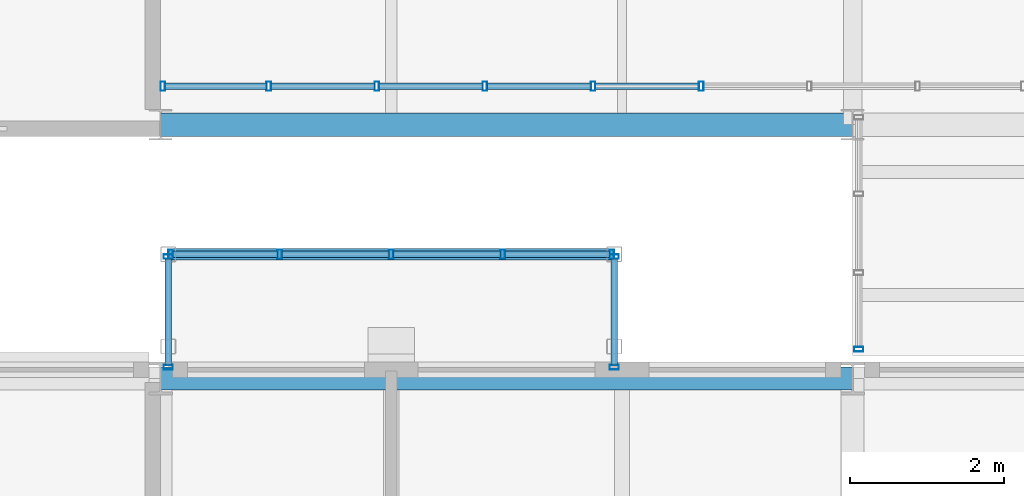
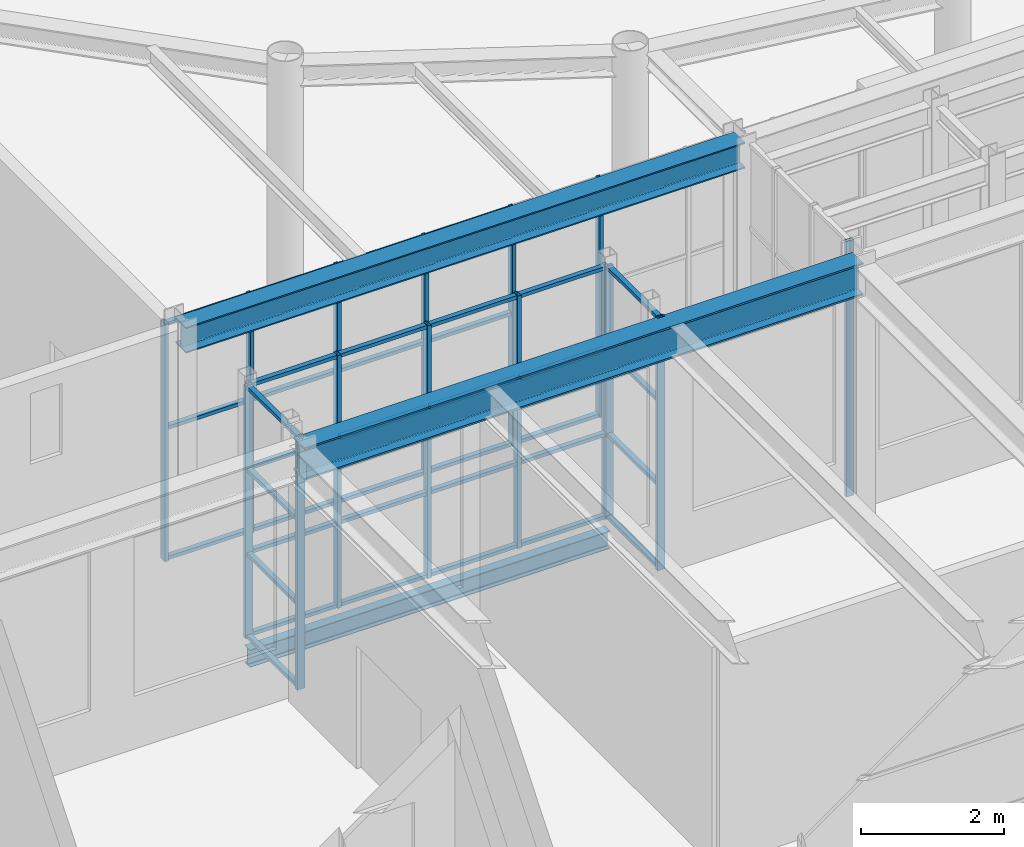
# One storey, part 44 of 149: 53 members, 3 beams, 5 elements without a shape of their own.
"""IFC4 building model written with IfcOpenShell, lengths in metres."""

from ifc_helpers import new_model, si_unit, direction, frame, origin, origin_2d, place, context, subcontext, project, spatial, hollow_rectangle, i_section, extrude, material, layer, layer_set, material_profile, profile_set, type_object, element, aggregate, save


model = new_model("IFC4")

# Units and contexts
model_context = context("Model", 3, precision=1e-05, world=origin(), true_north=direction((0.0, 1.0)))
body_context = subcontext(model_context, "Body", "Model", "MODEL_VIEW")
ifc_project = project(units=[si_unit("LENGTHUNIT", "METRE"), si_unit("AREAUNIT", "SQUARE_METRE"), si_unit("VOLUMEUNIT", "CUBIC_METRE"), si_unit("PLANEANGLEUNIT", "RADIAN"), si_unit("MASSUNIT", "GRAM", prefix="KILO")], contexts=[model_context])

# Site, building, storey
site_placement = place(None, origin())
site = spatial("IfcSite", under=ifc_project, at=site_placement, CompositionType="ELEMENT")
building_placement = place(site_placement, origin())
building = spatial("IfcBuilding", under=site, at=building_placement, Name="Kallimachos Central Library", CompositionType="ELEMENT")
storey_placement = place(building_placement, frame((0.0, 0.0, 9.89990234375)))
storey = spatial("IfcBuildingStorey", under=building, at=storey_placement, Name="L02", CompositionType="ELEMENT", Elevation=9.89990234375)

# Curtain wall, member
ifc_material_1 = material(Name="Aluminium and laminated glass", Category="aluminium")
curtain_wall_type_1 = type_object("IfcCurtainWallType", Name="Link glazed wall", PredefinedType="NOTDEFINED", material=ifc_material_1)
curtain_wall_1_placement = place(storey_placement, origin())
curtain_wall_1 = element("IfcCurtainWall", 1, at=curtain_wall_1_placement, inside=storey, type_object=curtain_wall_type_1, Name="Reading Link glazed wall L02", PredefinedType="NOTDEFINED")
ifc_material_2 = material(Name="Anodised aluminium", Category="aluminium")
ifc_material_profile_1 = material_profile(ifc_material_2, hollow_rectangle(XDim=0.06005859375, YDim=0.1201171875, WallThickness=0.00390625, at=origin_2d()), Name="ALU MULLION 60x120")
ifc_profile_set_1 = profile_set([ifc_material_profile_1], Name="Anodised aluminium")
member_type_1 = type_object("IfcMemberType", Name="ALU MULLION 60x120 mullion", PredefinedType="MULLION", material=ifc_profile_set_1)
member_1_placement = place(storey_placement, frame((83.580078125, 84.22998046875, 0.0), z_axis=(0.0, 0.0, 1.0), x_axis=(0.0, 1.0, 0.0)))
member_1 = element("IfcMember", 2, at=member_1_placement, type_object=member_type_1, Name="CW66 mullion 1", PredefinedType="MULLION", context=body_context, shape_type="SweptSolid", body=[
    extrude(hollow_rectangle(XDim=0.06005859375, YDim=0.1201171875, WallThickness=0.00390625, at=origin_2d()), origin(), (0.0, 0.0, 1.0), 4.35009765625),
])
aggregate(curtain_wall_1, [member_1])

# Curtain wall, members
ifc_material_3 = material(Name="Anodised aluminium and laminated glass", Category="aluminium")
ifc_layer = layer(ifc_material_3, 0.159912109375)
ifc_layer_set = layer_set([ifc_layer], Name="Glass box curtain wall")
curtain_wall_type_2 = type_object("IfcCurtainWallType", Name="Glass box curtain wall", PredefinedType="NOTDEFINED", material=ifc_layer_set)
curtain_wall_2_placement = place(storey_placement, origin())
curtain_wall_2 = element("IfcCurtainWall", 3, at=curtain_wall_2_placement, inside=storey, type_object=curtain_wall_type_2, Name="Glass box curtain wall S L02", PredefinedType="NOTDEFINED")
ifc_material_4 = material(Name="Anodised aluminium", Category="aluminium")
ifc_material_profile_2 = material_profile(ifc_material_4, hollow_rectangle(XDim=0.06005859375, YDim=0.1201171875, WallThickness=0.00390625, at=origin_2d()), Name="ALU MULLION 60x120")
ifc_profile_set_2 = profile_set([ifc_material_profile_2], Name="Anodised aluminium")
member_type_2 = type_object("IfcMemberType", Name="Glass box mullion 60x120", PredefinedType="MULLION", material=ifc_profile_set_2)
member_2_placement = place(storey_placement, frame((74.530029296875, 87.64990234375, 0.0), z_axis=(0.0, 0.0, 1.0), x_axis=(1.0, 0.0, 0.0)))
member_2 = element("IfcMember", 4, at=member_2_placement, type_object=member_type_2, Name="CW12 mullion 1", PredefinedType="MULLION", context=body_context, shape_type="SweptSolid", body=[
    extrude(hollow_rectangle(XDim=0.06005859375, YDim=0.1201171875, WallThickness=0.00390625, at=origin_2d()), origin(), (0.0, 0.0, 1.0), 4.050048828125),
])
member_3_placement = place(storey_placement, frame((75.90625, 87.64990234375, 0.0), z_axis=(0.0, 0.0, 1.0), x_axis=(1.0, 0.0, 0.0)))
member_3 = element("IfcMember", 5, at=member_3_placement, type_object=member_type_2, Name="CW12 mullion 2", PredefinedType="MULLION", context=body_context, shape_type="SweptSolid", body=[
    extrude(hollow_rectangle(XDim=0.06005859375, YDim=0.1201171875, WallThickness=0.00390625, at=origin_2d()), origin(), (0.0, 0.0, 1.0), 4.050048828125),
])
member_4_placement = place(storey_placement, frame((77.3125, 87.64990234375, 0.0), z_axis=(0.0, 0.0, 1.0), x_axis=(1.0, 0.0, 0.0)))
member_4 = element("IfcMember", 6, at=member_4_placement, type_object=member_type_2, Name="CW12 mullion 3", PredefinedType="MULLION", context=body_context, shape_type="SweptSolid", body=[
    extrude(hollow_rectangle(XDim=0.06005859375, YDim=0.1201171875, WallThickness=0.00390625, at=origin_2d()), origin(), (0.0, 0.0, 1.0), 4.050048828125),
])
member_5_placement = place(storey_placement, frame((78.71875, 87.64990234375, 0.0), z_axis=(0.0, 0.0, 1.0), x_axis=(1.0, 0.0, 0.0)))
member_5 = element("IfcMember", 7, at=member_5_placement, type_object=member_type_2, Name="CW12 mullion 4", PredefinedType="MULLION", context=body_context, shape_type="SweptSolid", body=[
    extrude(hollow_rectangle(XDim=0.06005859375, YDim=0.1201171875, WallThickness=0.00390625, at=origin_2d()), origin(), (0.0, 0.0, 1.0), 4.050048828125),
])
member_6_placement = place(storey_placement, frame((80.125, 87.64990234375, 0.0), z_axis=(0.0, 0.0, 1.0), x_axis=(1.0, 0.0, 0.0)))
member_6 = element("IfcMember", 8, at=member_6_placement, type_object=member_type_2, Name="CW12 mullion 5", PredefinedType="MULLION", context=body_context, shape_type="SweptSolid", body=[
    extrude(hollow_rectangle(XDim=0.06005859375, YDim=0.1201171875, WallThickness=0.00390625, at=origin_2d()), origin(), (0.0, 0.0, 1.0), 4.050048828125),
])
member_7_placement = place(storey_placement, frame((81.53125, 87.64990234375, 0.0), z_axis=(0.0, 0.0, 1.0), x_axis=(1.0, 0.0, 0.0)))
member_7 = element("IfcMember", 9, at=member_7_placement, type_object=member_type_2, Name="CW12 mullion 6", PredefinedType="MULLION", context=body_context, shape_type="SweptSolid", body=[
    extrude(hollow_rectangle(XDim=0.06005859375, YDim=0.1201171875, WallThickness=0.00390625, at=origin_2d()), origin(), (0.0, 0.0, 1.0), 4.050048828125),
])
ifc_material_5 = material(Name="Anodised aluminium", Category="aluminium")
ifc_material_profile_3 = material_profile(ifc_material_5, hollow_rectangle(XDim=0.06005859375, YDim=0.080078125, WallThickness=0.00390625, at=origin_2d()), Name="ALU TRANSOM 60x80")
ifc_profile_set_3 = profile_set([ifc_material_profile_3], Name="Anodised aluminium")
member_type_3 = type_object("IfcMemberType", Name="Glass box transom 60x80", PredefinedType="USERDEFINED", material=ifc_profile_set_3)
member_8_placement = place(storey_placement, frame((74.56005859375, 87.64990234375, 0.030029296875), z_axis=(1.0, 0.0, 0.0), x_axis=(0.0, 0.0, 1.0)))
member_8 = element("IfcMember", 10, at=member_8_placement, type_object=member_type_3, Name="CW12 transom 1.1", ObjectType="TRANSOM", PredefinedType="USERDEFINED", context=body_context, shape_type="SweptSolid", body=[
    extrude(hollow_rectangle(XDim=0.06005859375, YDim=0.080078125, WallThickness=0.00390625, at=origin_2d()), origin(), (0.0, 0.0, 1.0), 1.316162109375),
])
member_9_placement = place(storey_placement, frame((74.56005859375, 87.64990234375, 2.25), z_axis=(1.0, 0.0, 0.0), x_axis=(0.0, 0.0, 1.0)))
member_9 = element("IfcMember", 11, at=member_9_placement, type_object=member_type_3, Name="CW12 transom 1.2", ObjectType="TRANSOM", PredefinedType="USERDEFINED", context=body_context, shape_type="SweptSolid", body=[
    extrude(hollow_rectangle(XDim=0.06005859375, YDim=0.080078125, WallThickness=0.00390625, at=origin_2d()), origin(), (0.0, 0.0, 1.0), 1.316162109375),
])
member_10_placement = place(storey_placement, frame((74.56005859375, 87.64990234375, 4.02001953125), z_axis=(1.0, 0.0, 0.0), x_axis=(0.0, 0.0, 1.0)))
member_10 = element("IfcMember", 12, at=member_10_placement, type_object=member_type_3, Name="CW12 transom 1.3", ObjectType="TRANSOM", PredefinedType="USERDEFINED", context=body_context, shape_type="SweptSolid", body=[
    extrude(hollow_rectangle(XDim=0.06005859375, YDim=0.080078125, WallThickness=0.00390625, at=origin_2d()), origin(), (0.0, 0.0, 1.0), 1.316162109375),
])
member_11_placement = place(storey_placement, frame((75.936279296875, 87.64990234375, 0.030029296875), z_axis=(1.0, 0.0, 0.0), x_axis=(0.0, 0.0, 1.0)))
member_11 = element("IfcMember", 13, at=member_11_placement, type_object=member_type_3, Name="CW12 transom 2.1", ObjectType="TRANSOM", PredefinedType="USERDEFINED", context=body_context, shape_type="SweptSolid", body=[
    extrude(hollow_rectangle(XDim=0.06005859375, YDim=0.080078125, WallThickness=0.00390625, at=origin_2d()), origin(), (0.0, 0.0, 1.0), 1.34619140625),
])
member_12_placement = place(storey_placement, frame((75.936279296875, 87.64990234375, 2.25), z_axis=(1.0, 0.0, 0.0), x_axis=(0.0, 0.0, 1.0)))
member_12 = element("IfcMember", 14, at=member_12_placement, type_object=member_type_3, Name="CW12 transom 2.2", ObjectType="TRANSOM", PredefinedType="USERDEFINED", context=body_context, shape_type="SweptSolid", body=[
    extrude(hollow_rectangle(XDim=0.06005859375, YDim=0.080078125, WallThickness=0.00390625, at=origin_2d()), origin(), (0.0, 0.0, 1.0), 1.34619140625),
])
member_13_placement = place(storey_placement, frame((75.936279296875, 87.64990234375, 4.02001953125), z_axis=(1.0, 0.0, 0.0), x_axis=(0.0, 0.0, 1.0)))
member_13 = element("IfcMember", 15, at=member_13_placement, type_object=member_type_3, Name="CW12 transom 2.3", ObjectType="TRANSOM", PredefinedType="USERDEFINED", context=body_context, shape_type="SweptSolid", body=[
    extrude(hollow_rectangle(XDim=0.06005859375, YDim=0.080078125, WallThickness=0.00390625, at=origin_2d()), origin(), (0.0, 0.0, 1.0), 1.34619140625),
])
member_14_placement = place(storey_placement, frame((77.342529296875, 87.64990234375, 0.030029296875), z_axis=(1.0, 0.0, 0.0), x_axis=(0.0, 0.0, 1.0)))
member_14 = element("IfcMember", 16, at=member_14_placement, type_object=member_type_3, Name="CW12 transom 3.1", ObjectType="TRANSOM", PredefinedType="USERDEFINED", context=body_context, shape_type="SweptSolid", body=[
    extrude(hollow_rectangle(XDim=0.06005859375, YDim=0.080078125, WallThickness=0.00390625, at=origin_2d()), origin(), (0.0, 0.0, 1.0), 1.34619140625),
])
member_15_placement = place(storey_placement, frame((77.342529296875, 87.64990234375, 2.25), z_axis=(1.0, 0.0, 0.0), x_axis=(0.0, 0.0, 1.0)))
member_15 = element("IfcMember", 17, at=member_15_placement, type_object=member_type_3, Name="CW12 transom 3.2", ObjectType="TRANSOM", PredefinedType="USERDEFINED", context=body_context, shape_type="SweptSolid", body=[
    extrude(hollow_rectangle(XDim=0.06005859375, YDim=0.080078125, WallThickness=0.00390625, at=origin_2d()), origin(), (0.0, 0.0, 1.0), 1.34619140625),
])
member_16_placement = place(storey_placement, frame((77.342529296875, 87.64990234375, 4.02001953125), z_axis=(1.0, 0.0, 0.0), x_axis=(0.0, 0.0, 1.0)))
member_16 = element("IfcMember", 18, at=member_16_placement, type_object=member_type_3, Name="CW12 transom 3.3", ObjectType="TRANSOM", PredefinedType="USERDEFINED", context=body_context, shape_type="SweptSolid", body=[
    extrude(hollow_rectangle(XDim=0.06005859375, YDim=0.080078125, WallThickness=0.00390625, at=origin_2d()), origin(), (0.0, 0.0, 1.0), 1.34619140625),
])
member_17_placement = place(storey_placement, frame((78.748779296875, 87.64990234375, 0.030029296875), z_axis=(1.0, 0.0, 0.0), x_axis=(0.0, 0.0, 1.0)))
member_17 = element("IfcMember", 19, at=member_17_placement, type_object=member_type_3, Name="CW12 transom 4.1", ObjectType="TRANSOM", PredefinedType="USERDEFINED", context=body_context, shape_type="SweptSolid", body=[
    extrude(hollow_rectangle(XDim=0.06005859375, YDim=0.080078125, WallThickness=0.00390625, at=origin_2d()), origin(), (0.0, 0.0, 1.0), 1.34619140625),
])
member_18_placement = place(storey_placement, frame((78.748779296875, 87.64990234375, 2.25), z_axis=(1.0, 0.0, 0.0), x_axis=(0.0, 0.0, 1.0)))
member_18 = element("IfcMember", 20, at=member_18_placement, type_object=member_type_3, Name="CW12 transom 4.2", ObjectType="TRANSOM", PredefinedType="USERDEFINED", context=body_context, shape_type="SweptSolid", body=[
    extrude(hollow_rectangle(XDim=0.06005859375, YDim=0.080078125, WallThickness=0.00390625, at=origin_2d()), origin(), (0.0, 0.0, 1.0), 1.34619140625),
])
member_19_placement = place(storey_placement, frame((78.748779296875, 87.64990234375, 4.02001953125), z_axis=(1.0, 0.0, 0.0), x_axis=(0.0, 0.0, 1.0)))
member_19 = element("IfcMember", 21, at=member_19_placement, type_object=member_type_3, Name="CW12 transom 4.3", ObjectType="TRANSOM", PredefinedType="USERDEFINED", context=body_context, shape_type="SweptSolid", body=[
    extrude(hollow_rectangle(XDim=0.06005859375, YDim=0.080078125, WallThickness=0.00390625, at=origin_2d()), origin(), (0.0, 0.0, 1.0), 1.34619140625),
])
member_20_placement = place(storey_placement, frame((80.155029296875, 87.64990234375, 0.030029296875), z_axis=(1.0, 0.0, 0.0), x_axis=(0.0, 0.0, 1.0)))
member_20 = element("IfcMember", 22, at=member_20_placement, type_object=member_type_3, Name="CW12 transom 5.1", ObjectType="TRANSOM", PredefinedType="USERDEFINED", context=body_context, shape_type="SweptSolid", body=[
    extrude(hollow_rectangle(XDim=0.06005859375, YDim=0.080078125, WallThickness=0.00390625, at=origin_2d()), origin(), (0.0, 0.0, 1.0), 1.34619140625),
])
aggregate(curtain_wall_2, [member_2, member_3, member_4, member_5, member_6, member_7, member_8, member_9, member_10, member_11, member_12, member_13, member_14, member_15, member_16, member_17, member_18, member_19, member_20])

# Beams
ifc_material_6 = material(Name="Steel S355J2", Category="steel")
ifc_material_profile_4 = material_profile(ifc_material_6, i_section(OverallWidth=0.300048828125, OverallDepth=0.43994140625, WebThickness=0.011474609375, FlangeThickness=0.02099609375, FilletRadius=0.027099609375, at=origin_2d()), Name="HEA 450")
ifc_profile_set_4 = profile_set([ifc_material_profile_4], Name="Steel S355J2")
beam_type_1 = type_object("IfcBeamType", Name="HEA 450 beam", PredefinedType="BEAM", material=ifc_profile_set_4)
beam_1_placement = place(storey_placement, frame((74.5, 87.14990234375, 4.130126953125), z_axis=(1.0, 0.0, 0.0), x_axis=(0.0, 1.0, 0.0)))
element("IfcBeam", 23, at=beam_1_placement, inside=storey, type_object=beam_type_1, Name="V1-BEM-L02-039", PredefinedType="BEAM", context=body_context, shape_type="SweptSolid", body=[
    extrude(i_section(OverallWidth=0.300048828125, OverallDepth=0.43994140625, WebThickness=0.011474609375, FlangeThickness=0.02099609375, FilletRadius=0.027099609375, at=origin_2d()), origin(), (0.0, 0.0, 1.0), 9.0),
])
ifc_material_7 = material(Name="Steel S355J2", Category="steel")
ifc_material_profile_5 = material_profile(ifc_material_7, i_section(OverallWidth=0.300048828125, OverallDepth=0.550048828125, WebThickness=0.014892578125, FlangeThickness=0.029052734375, FilletRadius=0.027099609375, at=origin_2d()), Name="HEB 550")
ifc_profile_set_5 = profile_set([ifc_material_profile_5], Name="Steel S355J2")
beam_type_2 = type_object("IfcBeamType", Name="HEB 550 beam", PredefinedType="BEAM", material=ifc_profile_set_5)
beam_2_placement = place(storey_placement, frame((74.5, 83.85009765625, 4.025146484375), z_axis=(1.0, 0.0, 0.0), x_axis=(0.0, 1.0, 0.0)))
element("IfcBeam", 24, at=beam_2_placement, inside=storey, type_object=beam_type_2, Name="V4-BEM-L02-005", PredefinedType="BEAM", context=body_context, shape_type="SweptSolid", body=[
    extrude(i_section(OverallWidth=0.300048828125, OverallDepth=0.550048828125, WebThickness=0.014892578125, FlangeThickness=0.029052734375, FilletRadius=0.027099609375, at=origin_2d()), origin(), (0.0, 0.0, 1.0), 9.0),
])
ifc_material_8 = material(Name="Steel S355J2", Category="steel")
ifc_material_profile_6 = material_profile(ifc_material_8, i_section(OverallWidth=0.14990234375, OverallDepth=0.300048828125, WebThickness=0.007080078125, FlangeThickness=0.0107421875, FilletRadius=0.014892578125, at=origin_2d()), Name="IPE 300")
ifc_profile_set_6 = profile_set([ifc_material_profile_6], Name="Steel S355J2")
beam_type_3 = type_object("IfcBeamType", Name="IPE 300 beam", PredefinedType="BEAM", material=ifc_profile_set_6)
beam_3_placement = place(storey_placement, frame((74.60009765625, 85.466064453125, -0.349853515625), z_axis=(1.0, 0.0, 0.0), x_axis=(0.0, 1.0, 0.0)))
element("IfcBeam", 25, at=beam_3_placement, inside=storey, type_object=beam_type_3, Name="Tribune bay N1 edge beam L02", PredefinedType="BEAM", context=body_context, shape_type="SweptSolid", body=[
    extrude(i_section(OverallWidth=0.14990234375, OverallDepth=0.300048828125, WebThickness=0.007080078125, FlangeThickness=0.0107421875, FilletRadius=0.014892578125, at=origin_2d()), origin(), (0.0, 0.0, 1.0), 5.7998046875),
])

# Curtain wall, members
ifc_material_9 = material(Name="Aluminium and laminated glass", Category="aluminium")
curtain_wall_type_3 = type_object("IfcCurtainWallType", Name="Tribune bay glazed screen", PredefinedType="NOTDEFINED", material=ifc_material_9)
curtain_wall_3_placement = place(storey_placement, origin())
curtain_wall_3 = element("IfcCurtainWall", 26, at=curtain_wall_3_placement, inside=storey, type_object=curtain_wall_type_3, Name="Tribune bay N1 L02 front", PredefinedType="NOTDEFINED")
ifc_material_10 = material(Name="Anodised aluminium", Category="aluminium")
ifc_material_profile_7 = material_profile(ifc_material_10, hollow_rectangle(XDim=0.06005859375, YDim=0.1201171875, WallThickness=0.00390625, at=origin_2d()), Name="ALU MULLION 60x120")
ifc_profile_set_7 = profile_set([ifc_material_profile_7], Name="Anodised aluminium")
member_type_4 = type_object("IfcMemberType", Name="Tribune bay mullion", PredefinedType="MULLION", material=ifc_profile_set_7)
member_21_placement = place(storey_placement, frame((74.6298828125, 85.466064453125, 0.0), z_axis=(0.0, 0.0, 1.0), x_axis=(1.0, 0.0, 0.0)))
member_21 = element("IfcMember", 27, at=member_21_placement, type_object=member_type_4, Name="CW mullion 1", PredefinedType="MULLION", context=body_context, shape_type="SweptSolid", body=[
    extrude(hollow_rectangle(XDim=0.06005859375, YDim=0.1201171875, WallThickness=0.00390625, at=origin_2d()), origin(), (0.0, 0.0, 1.0), 4.300048828125),
])
member_22_placement = place(storey_placement, frame((76.050048828125, 85.466064453125, 0.0), z_axis=(0.0, 0.0, 1.0), x_axis=(1.0, 0.0, 0.0)))
member_22 = element("IfcMember", 28, at=member_22_placement, type_object=member_type_4, Name="CW mullion 2", PredefinedType="MULLION", context=body_context, shape_type="SweptSolid", body=[
    extrude(hollow_rectangle(XDim=0.06005859375, YDim=0.1201171875, WallThickness=0.00390625, at=origin_2d()), origin(), (0.0, 0.0, 1.0), 4.300048828125),
])
member_23_placement = place(storey_placement, frame((77.5, 85.466064453125, 0.0), z_axis=(0.0, 0.0, 1.0), x_axis=(1.0, 0.0, 0.0)))
member_23 = element("IfcMember", 29, at=member_23_placement, type_object=member_type_4, Name="CW mullion 3", PredefinedType="MULLION", context=body_context, shape_type="SweptSolid", body=[
    extrude(hollow_rectangle(XDim=0.06005859375, YDim=0.1201171875, WallThickness=0.00390625, at=origin_2d()), origin(), (0.0, 0.0, 1.0), 4.300048828125),
])
member_24_placement = place(storey_placement, frame((78.949951171875, 85.466064453125, 0.0), z_axis=(0.0, 0.0, 1.0), x_axis=(1.0, 0.0, 0.0)))
member_24 = element("IfcMember", 30, at=member_24_placement, type_object=member_type_4, Name="CW mullion 4", PredefinedType="MULLION", context=body_context, shape_type="SweptSolid", body=[
    extrude(hollow_rectangle(XDim=0.06005859375, YDim=0.1201171875, WallThickness=0.00390625, at=origin_2d()), origin(), (0.0, 0.0, 1.0), 4.300048828125),
])
member_25_placement = place(storey_placement, frame((80.3701171875, 85.466064453125, 0.0), z_axis=(0.0, 0.0, 1.0), x_axis=(1.0, 0.0, 0.0)))
member_25 = element("IfcMember", 31, at=member_25_placement, type_object=member_type_4, Name="CW mullion 5", PredefinedType="MULLION", context=body_context, shape_type="SweptSolid", body=[
    extrude(hollow_rectangle(XDim=0.06005859375, YDim=0.1201171875, WallThickness=0.00390625, at=origin_2d()), origin(), (0.0, 0.0, 1.0), 4.300048828125),
])

curtain_wall_4_placement = place(storey_placement, origin())
curtain_wall_4 = element("IfcCurtainWall", 32, at=curtain_wall_4_placement, inside=storey, type_object=curtain_wall_type_3, Name="Tribune bay N1 L02 return 1", PredefinedType="NOTDEFINED")
member_26_placement = place(storey_placement, frame((74.60009765625, 83.99609375, 0.0), z_axis=(0.0, 0.0, 1.0), x_axis=(0.0, 1.0, 0.0)))
member_26 = element("IfcMember", 33, at=member_26_placement, type_object=member_type_4, Name="CW mullion 1", PredefinedType="MULLION", context=body_context, shape_type="SweptSolid", body=[
    extrude(hollow_rectangle(XDim=0.06005859375, YDim=0.1201171875, WallThickness=0.00390625, at=origin_2d()), origin(), (0.0, 0.0, 1.0), 4.300048828125),
])
member_27_placement = place(storey_placement, frame((74.60009765625, 85.43603515625, 0.0), z_axis=(0.0, 0.0, 1.0), x_axis=(0.0, 1.0, 0.0)))
member_27 = element("IfcMember", 34, at=member_27_placement, type_object=member_type_4, Name="CW mullion 2", PredefinedType="MULLION", context=body_context, shape_type="SweptSolid", body=[
    extrude(hollow_rectangle(XDim=0.06005859375, YDim=0.1201171875, WallThickness=0.00390625, at=origin_2d()), origin(), (0.0, 0.0, 1.0), 4.300048828125),
])

curtain_wall_5_placement = place(storey_placement, origin())
curtain_wall_5 = element("IfcCurtainWall", 35, at=curtain_wall_5_placement, inside=storey, type_object=curtain_wall_type_3, Name="Tribune bay N1 L02 return 2", PredefinedType="NOTDEFINED")
member_28_placement = place(storey_placement, frame((80.39990234375, 83.99609375, 0.0), z_axis=(0.0, 0.0, 1.0), x_axis=(0.0, 1.0, 0.0)))
member_28 = element("IfcMember", 36, at=member_28_placement, type_object=member_type_4, Name="CW mullion 1", PredefinedType="MULLION", context=body_context, shape_type="SweptSolid", body=[
    extrude(hollow_rectangle(XDim=0.06005859375, YDim=0.1201171875, WallThickness=0.00390625, at=origin_2d()), origin(), (0.0, 0.0, 1.0), 4.300048828125),
])
member_29_placement = place(storey_placement, frame((80.39990234375, 85.43603515625, 0.0), z_axis=(0.0, 0.0, 1.0), x_axis=(0.0, 1.0, 0.0)))
member_29 = element("IfcMember", 37, at=member_29_placement, type_object=member_type_4, Name="CW mullion 2", PredefinedType="MULLION", context=body_context, shape_type="SweptSolid", body=[
    extrude(hollow_rectangle(XDim=0.06005859375, YDim=0.1201171875, WallThickness=0.00390625, at=origin_2d()), origin(), (0.0, 0.0, 1.0), 4.300048828125),
])

# Member
ifc_material_11 = material(Name="Anodised aluminium", Category="aluminium")
ifc_material_profile_8 = material_profile(ifc_material_11, hollow_rectangle(XDim=0.06005859375, YDim=0.080078125, WallThickness=0.00390625, at=origin_2d()), Name="ALU TRANSOM 60x80")
ifc_profile_set_8 = profile_set([ifc_material_profile_8], Name="Anodised aluminium")
member_type_5 = type_object("IfcMemberType", Name="Tribune bay transom", PredefinedType="USERDEFINED", material=ifc_profile_set_8)
member_30_placement = place(storey_placement, frame((74.659912109375, 85.466064453125, 0.030029296875), z_axis=(1.0, 0.0, 0.0), x_axis=(0.0, 0.0, 1.0)))
member_30 = element("IfcMember", 38, at=member_30_placement, type_object=member_type_5, Name="CW transom 1.1", ObjectType="TRANSOM", PredefinedType="USERDEFINED", context=body_context, shape_type="SweptSolid", body=[
    extrude(hollow_rectangle(XDim=0.06005859375, YDim=0.080078125, WallThickness=0.00390625, at=origin_2d()), origin(), (0.0, 0.0, 1.0), 1.360107421875),
])

member_31_placement = place(storey_placement, frame((74.659912109375, 85.466064453125, 1.433349609375), z_axis=(1.0, 0.0, 0.0), x_axis=(0.0, 0.0, 1.0)))
member_31 = element("IfcMember", 39, at=member_31_placement, type_object=member_type_5, Name="CW transom 1.2", ObjectType="TRANSOM", PredefinedType="USERDEFINED", context=body_context, shape_type="SweptSolid", body=[
    extrude(hollow_rectangle(XDim=0.06005859375, YDim=0.080078125, WallThickness=0.00390625, at=origin_2d()), origin(), (0.0, 0.0, 1.0), 1.360107421875),
])

member_32_placement = place(storey_placement, frame((74.659912109375, 85.466064453125, 2.86669921875), z_axis=(1.0, 0.0, 0.0), x_axis=(0.0, 0.0, 1.0)))
member_32 = element("IfcMember", 40, at=member_32_placement, type_object=member_type_5, Name="CW transom 1.3", ObjectType="TRANSOM", PredefinedType="USERDEFINED", context=body_context, shape_type="SweptSolid", body=[
    extrude(hollow_rectangle(XDim=0.06005859375, YDim=0.080078125, WallThickness=0.00390625, at=origin_2d()), origin(), (0.0, 0.0, 1.0), 1.360107421875),
])

member_33_placement = place(storey_placement, frame((74.659912109375, 85.466064453125, 4.27001953125), z_axis=(1.0, 0.0, 0.0), x_axis=(0.0, 0.0, 1.0)))
member_33 = element("IfcMember", 41, at=member_33_placement, type_object=member_type_5, Name="CW transom 1.4", ObjectType="TRANSOM", PredefinedType="USERDEFINED", context=body_context, shape_type="SweptSolid", body=[
    extrude(hollow_rectangle(XDim=0.06005859375, YDim=0.080078125, WallThickness=0.00390625, at=origin_2d()), origin(), (0.0, 0.0, 1.0), 1.360107421875),
])

member_34_placement = place(storey_placement, frame((76.080078125, 85.466064453125, 0.030029296875), z_axis=(1.0, 0.0, 0.0), x_axis=(0.0, 0.0, 1.0)))
member_34 = element("IfcMember", 42, at=member_34_placement, type_object=member_type_5, Name="CW transom 2.1", ObjectType="TRANSOM", PredefinedType="USERDEFINED", context=body_context, shape_type="SweptSolid", body=[
    extrude(hollow_rectangle(XDim=0.06005859375, YDim=0.080078125, WallThickness=0.00390625, at=origin_2d()), origin(), (0.0, 0.0, 1.0), 1.389892578125),
])

member_35_placement = place(storey_placement, frame((76.080078125, 85.466064453125, 1.433349609375), z_axis=(1.0, 0.0, 0.0), x_axis=(0.0, 0.0, 1.0)))
member_35 = element("IfcMember", 43, at=member_35_placement, type_object=member_type_5, Name="CW transom 2.2", ObjectType="TRANSOM", PredefinedType="USERDEFINED", context=body_context, shape_type="SweptSolid", body=[
    extrude(hollow_rectangle(XDim=0.06005859375, YDim=0.080078125, WallThickness=0.00390625, at=origin_2d()), origin(), (0.0, 0.0, 1.0), 1.389892578125),
])

member_36_placement = place(storey_placement, frame((76.080078125, 85.466064453125, 2.86669921875), z_axis=(1.0, 0.0, 0.0), x_axis=(0.0, 0.0, 1.0)))
member_36 = element("IfcMember", 44, at=member_36_placement, type_object=member_type_5, Name="CW transom 2.3", ObjectType="TRANSOM", PredefinedType="USERDEFINED", context=body_context, shape_type="SweptSolid", body=[
    extrude(hollow_rectangle(XDim=0.06005859375, YDim=0.080078125, WallThickness=0.00390625, at=origin_2d()), origin(), (0.0, 0.0, 1.0), 1.389892578125),
])

member_37_placement = place(storey_placement, frame((76.080078125, 85.466064453125, 4.27001953125), z_axis=(1.0, 0.0, 0.0), x_axis=(0.0, 0.0, 1.0)))
member_37 = element("IfcMember", 45, at=member_37_placement, type_object=member_type_5, Name="CW transom 2.4", ObjectType="TRANSOM", PredefinedType="USERDEFINED", context=body_context, shape_type="SweptSolid", body=[
    extrude(hollow_rectangle(XDim=0.06005859375, YDim=0.080078125, WallThickness=0.00390625, at=origin_2d()), origin(), (0.0, 0.0, 1.0), 1.389892578125),
])

member_38_placement = place(storey_placement, frame((77.530029296875, 85.466064453125, 0.030029296875), z_axis=(1.0, 0.0, 0.0), x_axis=(0.0, 0.0, 1.0)))
member_38 = element("IfcMember", 46, at=member_38_placement, type_object=member_type_5, Name="CW transom 3.1", ObjectType="TRANSOM", PredefinedType="USERDEFINED", context=body_context, shape_type="SweptSolid", body=[
    extrude(hollow_rectangle(XDim=0.06005859375, YDim=0.080078125, WallThickness=0.00390625, at=origin_2d()), origin(), (0.0, 0.0, 1.0), 1.389892578125),
])

member_39_placement = place(storey_placement, frame((77.530029296875, 85.466064453125, 1.433349609375), z_axis=(1.0, 0.0, 0.0), x_axis=(0.0, 0.0, 1.0)))
member_39 = element("IfcMember", 47, at=member_39_placement, type_object=member_type_5, Name="CW transom 3.2", ObjectType="TRANSOM", PredefinedType="USERDEFINED", context=body_context, shape_type="SweptSolid", body=[
    extrude(hollow_rectangle(XDim=0.06005859375, YDim=0.080078125, WallThickness=0.00390625, at=origin_2d()), origin(), (0.0, 0.0, 1.0), 1.389892578125),
])

member_40_placement = place(storey_placement, frame((77.530029296875, 85.466064453125, 2.86669921875), z_axis=(1.0, 0.0, 0.0), x_axis=(0.0, 0.0, 1.0)))
member_40 = element("IfcMember", 48, at=member_40_placement, type_object=member_type_5, Name="CW transom 3.3", ObjectType="TRANSOM", PredefinedType="USERDEFINED", context=body_context, shape_type="SweptSolid", body=[
    extrude(hollow_rectangle(XDim=0.06005859375, YDim=0.080078125, WallThickness=0.00390625, at=origin_2d()), origin(), (0.0, 0.0, 1.0), 1.389892578125),
])

member_41_placement = place(storey_placement, frame((77.530029296875, 85.466064453125, 4.27001953125), z_axis=(1.0, 0.0, 0.0), x_axis=(0.0, 0.0, 1.0)))
member_41 = element("IfcMember", 49, at=member_41_placement, type_object=member_type_5, Name="CW transom 3.4", ObjectType="TRANSOM", PredefinedType="USERDEFINED", context=body_context, shape_type="SweptSolid", body=[
    extrude(hollow_rectangle(XDim=0.06005859375, YDim=0.080078125, WallThickness=0.00390625, at=origin_2d()), origin(), (0.0, 0.0, 1.0), 1.389892578125),
])

member_42_placement = place(storey_placement, frame((78.97998046875, 85.466064453125, 0.030029296875), z_axis=(1.0, 0.0, 0.0), x_axis=(0.0, 0.0, 1.0)))
member_42 = element("IfcMember", 50, at=member_42_placement, type_object=member_type_5, Name="CW transom 4.1", ObjectType="TRANSOM", PredefinedType="USERDEFINED", context=body_context, shape_type="SweptSolid", body=[
    extrude(hollow_rectangle(XDim=0.06005859375, YDim=0.080078125, WallThickness=0.00390625, at=origin_2d()), origin(), (0.0, 0.0, 1.0), 1.360107421875),
])

member_43_placement = place(storey_placement, frame((78.97998046875, 85.466064453125, 1.433349609375), z_axis=(1.0, 0.0, 0.0), x_axis=(0.0, 0.0, 1.0)))
member_43 = element("IfcMember", 51, at=member_43_placement, type_object=member_type_5, Name="CW transom 4.2", ObjectType="TRANSOM", PredefinedType="USERDEFINED", context=body_context, shape_type="SweptSolid", body=[
    extrude(hollow_rectangle(XDim=0.06005859375, YDim=0.080078125, WallThickness=0.00390625, at=origin_2d()), origin(), (0.0, 0.0, 1.0), 1.360107421875),
])

member_44_placement = place(storey_placement, frame((78.97998046875, 85.466064453125, 2.86669921875), z_axis=(1.0, 0.0, 0.0), x_axis=(0.0, 0.0, 1.0)))
member_44 = element("IfcMember", 52, at=member_44_placement, type_object=member_type_5, Name="CW transom 4.3", ObjectType="TRANSOM", PredefinedType="USERDEFINED", context=body_context, shape_type="SweptSolid", body=[
    extrude(hollow_rectangle(XDim=0.06005859375, YDim=0.080078125, WallThickness=0.00390625, at=origin_2d()), origin(), (0.0, 0.0, 1.0), 1.360107421875),
])

member_45_placement = place(storey_placement, frame((78.97998046875, 85.466064453125, 4.27001953125), z_axis=(1.0, 0.0, 0.0), x_axis=(0.0, 0.0, 1.0)))
member_45 = element("IfcMember", 53, at=member_45_placement, type_object=member_type_5, Name="CW transom 4.4", ObjectType="TRANSOM", PredefinedType="USERDEFINED", context=body_context, shape_type="SweptSolid", body=[
    extrude(hollow_rectangle(XDim=0.06005859375, YDim=0.080078125, WallThickness=0.00390625, at=origin_2d()), origin(), (0.0, 0.0, 1.0), 1.360107421875),
])

aggregate(curtain_wall_3, [member_21, member_22, member_23, member_24, member_25, member_30, member_31, member_32, member_33, member_34, member_35, member_36, member_37, member_38, member_39, member_40, member_41, member_42, member_43, member_44, member_45])

member_46_placement = place(storey_placement, frame((74.60009765625, 84.02587890625, 0.030029296875), z_axis=(0.0, 1.0, 0.0), x_axis=(0.0, 0.0, 1.0)))
member_46 = element("IfcMember", 54, at=member_46_placement, type_object=member_type_5, Name="CW transom 1.1", ObjectType="TRANSOM", PredefinedType="USERDEFINED", context=body_context, shape_type="SweptSolid", body=[
    extrude(hollow_rectangle(XDim=0.06005859375, YDim=0.080078125, WallThickness=0.00390625, at=origin_2d()), origin(), (0.0, 0.0, 1.0), 1.380126953125),
])

member_47_placement = place(storey_placement, frame((74.60009765625, 84.02587890625, 1.433349609375), z_axis=(0.0, 1.0, 0.0), x_axis=(0.0, 0.0, 1.0)))
member_47 = element("IfcMember", 55, at=member_47_placement, type_object=member_type_5, Name="CW transom 1.2", ObjectType="TRANSOM", PredefinedType="USERDEFINED", context=body_context, shape_type="SweptSolid", body=[
    extrude(hollow_rectangle(XDim=0.06005859375, YDim=0.080078125, WallThickness=0.00390625, at=origin_2d()), origin(), (0.0, 0.0, 1.0), 1.380126953125),
])

member_48_placement = place(storey_placement, frame((74.60009765625, 84.02587890625, 2.86669921875), z_axis=(0.0, 1.0, 0.0), x_axis=(0.0, 0.0, 1.0)))
member_48 = element("IfcMember", 56, at=member_48_placement, type_object=member_type_5, Name="CW transom 1.3", ObjectType="TRANSOM", PredefinedType="USERDEFINED", context=body_context, shape_type="SweptSolid", body=[
    extrude(hollow_rectangle(XDim=0.06005859375, YDim=0.080078125, WallThickness=0.00390625, at=origin_2d()), origin(), (0.0, 0.0, 1.0), 1.380126953125),
])

member_49_placement = place(storey_placement, frame((74.60009765625, 84.02587890625, 4.27001953125), z_axis=(0.0, 1.0, 0.0), x_axis=(0.0, 0.0, 1.0)))
member_49 = element("IfcMember", 57, at=member_49_placement, type_object=member_type_5, Name="CW transom 1.4", ObjectType="TRANSOM", PredefinedType="USERDEFINED", context=body_context, shape_type="SweptSolid", body=[
    extrude(hollow_rectangle(XDim=0.06005859375, YDim=0.080078125, WallThickness=0.00390625, at=origin_2d()), origin(), (0.0, 0.0, 1.0), 1.380126953125),
])

aggregate(curtain_wall_4, [member_26, member_27, member_46, member_47, member_48, member_49])

member_50_placement = place(storey_placement, frame((80.39990234375, 84.02587890625, 0.030029296875), z_axis=(0.0, 1.0, 0.0), x_axis=(0.0, 0.0, 1.0)))
member_50 = element("IfcMember", 58, at=member_50_placement, type_object=member_type_5, Name="CW transom 1.1", ObjectType="TRANSOM", PredefinedType="USERDEFINED", context=body_context, shape_type="SweptSolid", body=[
    extrude(hollow_rectangle(XDim=0.06005859375, YDim=0.080078125, WallThickness=0.00390625, at=origin_2d()), origin(), (0.0, 0.0, 1.0), 1.380126953125),
])

member_51_placement = place(storey_placement, frame((80.39990234375, 84.02587890625, 1.433349609375), z_axis=(0.0, 1.0, 0.0), x_axis=(0.0, 0.0, 1.0)))
member_51 = element("IfcMember", 59, at=member_51_placement, type_object=member_type_5, Name="CW transom 1.2", ObjectType="TRANSOM", PredefinedType="USERDEFINED", context=body_context, shape_type="SweptSolid", body=[
    extrude(hollow_rectangle(XDim=0.06005859375, YDim=0.080078125, WallThickness=0.00390625, at=origin_2d()), origin(), (0.0, 0.0, 1.0), 1.380126953125),
])

member_52_placement = place(storey_placement, frame((80.39990234375, 84.02587890625, 2.86669921875), z_axis=(0.0, 1.0, 0.0), x_axis=(0.0, 0.0, 1.0)))
member_52 = element("IfcMember", 60, at=member_52_placement, type_object=member_type_5, Name="CW transom 1.3", ObjectType="TRANSOM", PredefinedType="USERDEFINED", context=body_context, shape_type="SweptSolid", body=[
    extrude(hollow_rectangle(XDim=0.06005859375, YDim=0.080078125, WallThickness=0.00390625, at=origin_2d()), origin(), (0.0, 0.0, 1.0), 1.380126953125),
])

member_53_placement = place(storey_placement, frame((80.39990234375, 84.02587890625, 4.27001953125), z_axis=(0.0, 1.0, 0.0), x_axis=(0.0, 0.0, 1.0)))
member_53 = element("IfcMember", 61, at=member_53_placement, type_object=member_type_5, Name="CW transom 1.4", ObjectType="TRANSOM", PredefinedType="USERDEFINED", context=body_context, shape_type="SweptSolid", body=[
    extrude(hollow_rectangle(XDim=0.06005859375, YDim=0.080078125, WallThickness=0.00390625, at=origin_2d()), origin(), (0.0, 0.0, 1.0), 1.380126953125),
])

aggregate(curtain_wall_5, [member_28, member_29, member_50, member_51, member_52, member_53])

save(model, "model.ifc")
